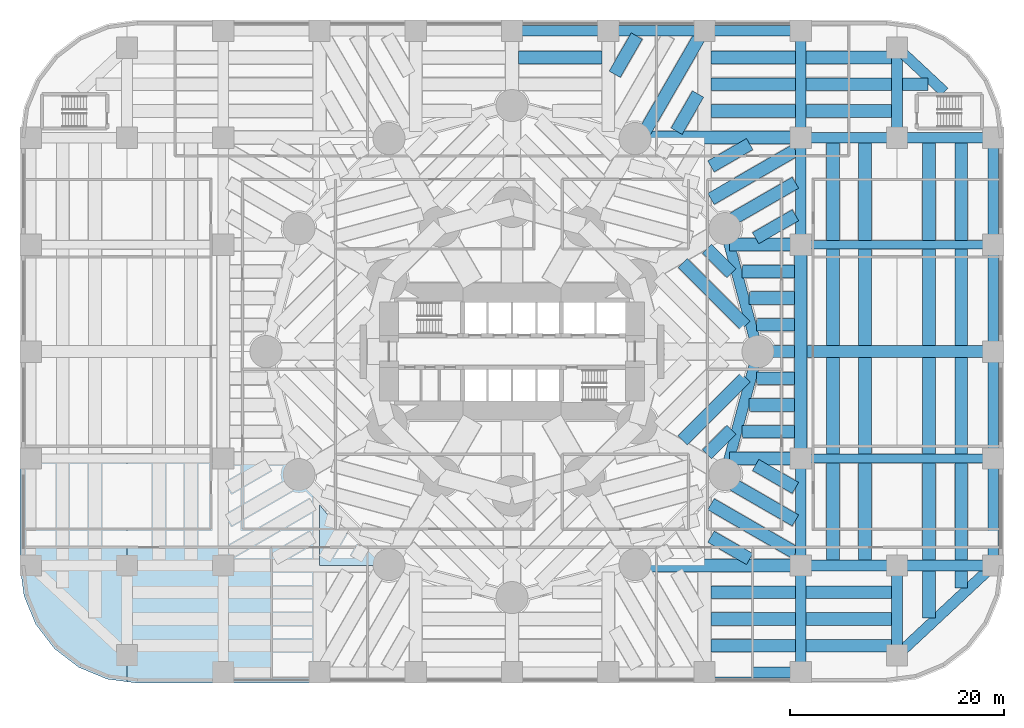
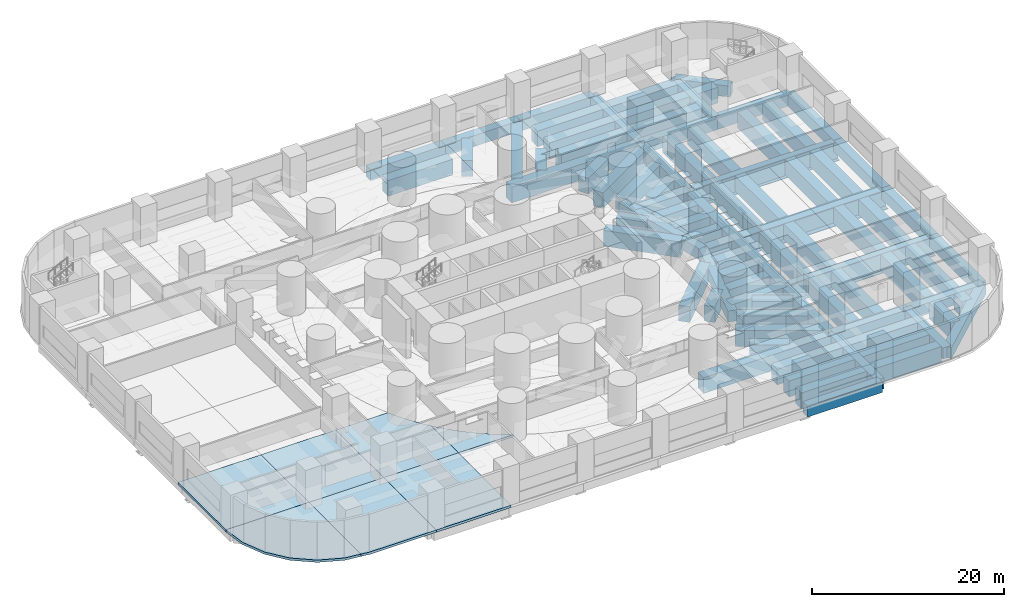
# One storey, part 4 of 17: 83 beams, 7 slabs.
"""IFC4 building model written with IfcOpenShell, lengths in metres."""

import ifcopenshell
import ifcopenshell.guid

model = None  # the IFC model being written
_history = None  # IfcOwnerHistory: only IFC2X3 demands one
_inside = {}  # id of a spatial element -> (the spatial element, [elements in it])
_under = {}  # id of a project, library or spatial element -> (it, [spatial elements below it])
_declared = {}  # id of a project -> (the project, [libraries it declares])
_typed = {}  # id of a type object -> (the type object, [elements of that type])
_made_of = {}  # id of a material, layer set ... -> (it, [elements and type objects made of it])


def new_model(schema):
    """Start an empty IFC model of exactly this schema.

    Asked for "IFC4X3", IfcOpenShell would pick the latest addendum, in which some entities
    have other attributes; the version numbers below select the first issue.
    IFC2X3 requires an IfcOwnerHistory on every rooted entity: one is made here for all.
    """
    global model, _history
    if schema == "IFC4X3":
        model = ifcopenshell.file(schema_version=(4, 3, 0, 0))
    else:
        model = ifcopenshell.file(schema=schema)
    _inside.clear()
    _under.clear()
    _declared.clear()
    _typed.clear()
    _made_of.clear()
    _history = None
    if model.schema == "IFC2X3":
        org = make("IfcOrganization", Name="unknown")
        user = make(
            "IfcPersonAndOrganization",
            ThePerson=make("IfcPerson", FamilyName="unknown"),
            TheOrganization=org,
        )
        app = make(
            "IfcApplication",
            ApplicationDeveloper=org,
            Version="unknown",
            ApplicationFullName="unknown",
            ApplicationIdentifier="unknown",
        )
        _history = make(
            "IfcOwnerHistory",
            OwningUser=user,
            OwningApplication=app,
            ChangeAction="ADDED",
            CreationDate=0,
        )
    return model


def make(cls, **values):
    """One entity of the class cls with the attributes given. An attribute that is None is left unset."""
    return model.create_entity(
        cls, **{name: value for name, value in values.items() if value is not None}
    )


def rooted(cls, **values):
    """An entity with a GlobalId (a new one), such as an element, a storey or a relation."""
    return make(cls, GlobalId=ifcopenshell.guid.new(), OwnerHistory=_history, **values)


def si_unit(unit_type, name, prefix=None):
    """IfcSIUnit, for example si_unit("LENGTHUNIT", "METRE", prefix="MILLI")."""
    return make("IfcSIUnit", UnitType=unit_type, Prefix=prefix, Name=name)


def assignment(units):
    """IfcUnitAssignment: the units of a project."""
    return None if units is None else make("IfcUnitAssignment", Units=units)


def point(xyz):
    """IfcCartesianPoint."""
    return None if xyz is None else make("IfcCartesianPoint", Coordinates=xyz)


def direction(xyz):
    """IfcDirection."""
    return None if xyz is None else make("IfcDirection", DirectionRatios=xyz)


def frame(location, z_axis=None, x_axis=None):
    """IfcAxis2Placement3D, a coordinate frame: its origin and axes. An axis left out is left unset."""
    return make(
        "IfcAxis2Placement3D",
        Location=point(location),
        Axis=direction(z_axis),
        RefDirection=direction(x_axis),
    )


def frame_2d(location, x_axis=None):
    """IfcAxis2Placement2D, a coordinate frame in the plane: its origin and x axis."""
    return make(
        "IfcAxis2Placement2D", Location=point(location), RefDirection=direction(x_axis)
    )


def origin():
    """The frame at (0, 0, 0) with its axes left unset."""
    return frame((0.0, 0.0, 0.0))


def origin_2d():
    """The frame at (0, 0) in the plane with its x axis left unset."""
    return frame_2d((0.0, 0.0))


def place(relative_to, where):
    """IfcLocalPlacement: puts the frame where relative to a parent placement (None: the world)."""
    return make(
        "IfcLocalPlacement", PlacementRelTo=relative_to, RelativePlacement=where
    )


def context(
    kind, dimensions, precision=None, world=None, true_north=None, identifier=None
):
    """IfcGeometricRepresentationContext, for example the 3D "Model" context."""
    return make(
        "IfcGeometricRepresentationContext",
        ContextIdentifier=identifier,
        ContextType=kind,
        CoordinateSpaceDimension=dimensions,
        Precision=precision,
        WorldCoordinateSystem=world,
        TrueNorth=true_north,
    )


def subcontext(parent, identifier, kind, view, scale=None):
    """IfcGeometricRepresentationSubContext, for example "Body" below "Model"."""
    return make(
        "IfcGeometricRepresentationSubContext",
        ContextIdentifier=identifier,
        ContextType=kind,
        ParentContext=parent,
        TargetScale=scale,
        TargetView=view,
    )


def project(units=None, contexts=None):
    """IfcProject with its units and contexts."""
    return rooted(
        "IfcProject",
        Name="project",
        RepresentationContexts=contexts,
        UnitsInContext=assignment(units),
    )


def spatial(cls, under=None, at=None, **own):
    """A site, building, storey or space (cls), placed at a placement, below another one or the project."""
    s = rooted(cls, ObjectPlacement=at, **own)
    if under is not None:
        _under.setdefault(under.id(), (under, []))[1].append(s)
    return s


def polyline(points):
    """IfcPolyline through the points."""
    return make("IfcPolyline", Points=[point(p) for p in points])


def profile(cls, at=None, kind="AREA", **sizes):
    """A parametric profile (cls). Its sizes go by their IFC names, for example OverallWidth=200.0."""
    return make(cls, ProfileType=kind, Position=at, **sizes)


def rectangle(**sizes):
    """IfcRectangleProfileDef."""
    return profile("IfcRectangleProfileDef", **sizes)


def i_section(**sizes):
    """IfcIShapeProfileDef."""
    return profile("IfcIShapeProfileDef", **sizes)


def outline(outer, holes=None, kind="AREA"):
    """IfcArbitraryClosedProfileDef: a profile drawn as a closed curve; with holes, ...WithVoids."""
    if holes is None:
        return make("IfcArbitraryClosedProfileDef", ProfileType=kind, OuterCurve=outer)
    return make(
        "IfcArbitraryProfileDefWithVoids",
        ProfileType=kind,
        OuterCurve=outer,
        InnerCurves=holes,
    )


def extrude(swept, where, along, depth):
    """IfcExtrudedAreaSolid: the profile swept, set in the frame where, extruded along a direction by depth."""
    return make(
        "IfcExtrudedAreaSolid",
        SweptArea=swept,
        Position=where,
        ExtrudedDirection=direction(along),
        Depth=depth,
    )


def shape(context_of_items, identifier, shape_type, items):
    """IfcShapeRepresentation: the items that make up one representation, for example the "Body"."""
    return make(
        "IfcShapeRepresentation",
        ContextOfItems=context_of_items,
        RepresentationIdentifier=identifier,
        RepresentationType=shape_type,
        Items=items,
    )


def material(Name=None, Category=None):
    """IfcMaterial."""
    return make("IfcMaterial", Name=Name, Category=Category)


def layer(
    of_material, thickness, ventilated=None, Name=None, Category=None, Priority=None
):
    """IfcMaterialLayer: one layer of a wall or slab, of a material (None: an air gap)."""
    return make(
        "IfcMaterialLayer",
        Material=of_material,
        LayerThickness=thickness,
        IsVentilated=ventilated,
        Name=Name,
        Category=Category,
        Priority=Priority,
    )


def layer_set(layers, Name=None):
    """IfcMaterialLayerSet."""
    return make("IfcMaterialLayerSet", MaterialLayers=layers, LayerSetName=Name)


def material_profile(
    of_material, cross_section, Name=None, Category=None, Priority=None
):
    """IfcMaterialProfile: a cross section and its material."""
    return make(
        "IfcMaterialProfile",
        Name=Name,
        Material=of_material,
        Profile=cross_section,
        Priority=Priority,
        Category=Category,
    )


def profile_set(profiles, Name=None, composite=None):
    """IfcMaterialProfileSet."""
    return make(
        "IfcMaterialProfileSet",
        Name=Name,
        MaterialProfiles=profiles,
        CompositeProfile=composite,
    )


def made_of(thing, what):
    """Note that an element or type object is made of a material, layer set ...; save() writes the relation."""
    if what is not None:
        _made_of.setdefault(what.id(), (what, []))[1].append(thing)
    return thing


def type_object(cls, material=None, **own):
    """A type object (cls), such as IfcWallType, which elements share."""
    return made_of(rooted(cls, **own), material)


def element(
    cls,
    number,
    at=None,
    inside=None,
    cuts=None,
    type_object=None,
    material=None,
    context=None,
    identifier="Body",
    shape_type=None,
    held_by="IfcProductDefinitionShape",
    body=None,
    shapes=None,
    **own,
):
    """One element of the class cls, such as IfcWall. Its Tag is "e" and its number.

    at: its placement. inside: the storey or other place that contains it. cuts: it is an
    opening in that element (IfcRelVoidsElement). A single representation is given by context,
    identifier, shape_type and body (its items); several are given by shapes. held_by: the class
    of the entity that holds the representations. save() writes the other relations.
    """
    e = rooted(cls, Tag="e%d" % number, ObjectPlacement=at, **own)
    if body is not None:
        shapes = [shape(context, identifier, shape_type, body)]
    if shapes is not None:
        e.Representation = make(held_by, Representations=shapes)
    if inside is not None:
        _inside.setdefault(inside.id(), (inside, []))[1].append(e)
    if cuts is not None:
        rooted(
            "IfcRelVoidsElement", RelatingBuildingElement=cuts, RelatedOpeningElement=e
        )
    if type_object is not None:
        _typed.setdefault(type_object.id(), (type_object, []))[1].append(e)
    return made_of(e, material)


def aggregate(whole, parts):
    """IfcRelAggregates: a whole, such as a stair, and the parts it consists of."""
    return rooted("IfcRelAggregates", RelatingObject=whole, RelatedObjects=parts)


def save(model, path):
    """Write the relations noted so far, then the file.

    IfcRelAggregates (storeys below a building ...), IfcRelContainedInSpatialStructure (elements
    in a storey), IfcRelDefinesByType, IfcRelAssociatesMaterial and IfcRelDeclares: one each for
    every whole, place, type object, material and project.
    """
    for whole, parts in _under.values():
        aggregate(whole, parts)
    for where, things in _inside.values():
        rooted(
            "IfcRelContainedInSpatialStructure",
            RelatedElements=things,
            RelatingStructure=where,
        )
    for kind, things in _typed.values():
        rooted("IfcRelDefinesByType", RelatedObjects=things, RelatingType=kind)
    for what, things in _made_of.values():
        rooted("IfcRelAssociatesMaterial", RelatedObjects=things, RelatingMaterial=what)
    for by, libraries in _declared.values():
        rooted("IfcRelDeclares", RelatingContext=by, RelatedDefinitions=libraries)
    model.write(path)


model = new_model("IFC4")

# Units and contexts
model_context = context("Model", 3, precision=1e-05, world=origin(), true_north=direction((0.0, 1.0)))
body_context = subcontext(model_context, "Body", "Model", "MODEL_VIEW")
ifc_project = project(units=[si_unit("LENGTHUNIT", "METRE"), si_unit("AREAUNIT", "SQUARE_METRE"), si_unit("VOLUMEUNIT", "CUBIC_METRE"), si_unit("PLANEANGLEUNIT", "RADIAN"), si_unit("MASSUNIT", "GRAM", prefix="KILO")], contexts=[model_context])

# Site, building, storey
site_placement = place(None, origin())
site = spatial("IfcSite", under=ifc_project, at=site_placement, CompositionType="ELEMENT")
building_placement = place(site_placement, origin())
building = spatial("IfcBuilding", under=site, at=building_placement, Name="Qaws Media Tower", CompositionType="ELEMENT")
storey_placement = place(building_placement, frame((0.0, 0.0, 15.0)))
storey = spatial("IfcBuildingStorey", under=building, at=storey_placement, Name="L02", CompositionType="ELEMENT", Elevation=15.0)

# Beams
ifc_material_1 = material(Name="Concrete C60/75", Category="concrete")
ifc_material_profile_1 = material_profile(ifc_material_1, rectangle(XDim=1.0, YDim=1.39990234375, at=origin_2d()), Name="RC 1000x1400")
ifc_profile_set_1 = profile_set([ifc_material_profile_1], Name="Concrete C60/75")
beam_type_1 = type_object("IfcBeamType", Name="Podium edge beam RC 1000x1400", PredefinedType="BEAM", material=ifc_profile_set_1)
for number, where, z_axis, x_axis, name in (
    (1, (83.0, 50.0, -1.0), (-0.258809885148, 0.965928280645, 0.0), (-0.965928280645, -0.258809885148, 0.0), "PB3 beam M01-M02"),
    (2, (79.918701171875, 38.5, -1.0), (0.258809885148, 0.965928280645, 0.0), (-0.965928280645, 0.258809885148, 0.0), "PB3 beam M12-M01"),
):
    element("IfcBeam", number, at=place(storey_placement, frame(where, z_axis=z_axis, x_axis=x_axis)), inside=storey, type_object=beam_type_1, Name=name, PredefinedType="BEAM", context=body_context, shape_type="SweptSolid", body=[
        extrude(rectangle(XDim=1.0, YDim=1.39990234375, at=origin_2d()), origin(), (0.0, 0.0, 1.0), 11.90576171875),
    ])
ifc_material_2 = material(Name="Concrete C60/75", Category="concrete")
ifc_material_profile_2 = material_profile(ifc_material_2, rectangle(XDim=1.0, YDim=1.39990234375, at=origin_2d()), Name="RC 1000x1400")
ifc_profile_set_2 = profile_set([ifc_material_profile_2], Name="Concrete C60/75")
beam_type_2 = type_object("IfcBeamType", Name="Podium girder RC 1000x1400", PredefinedType="BEAM", material=ifc_profile_set_2)
for number, where, z_axis, x_axis, name in (
    (3, (78.0, 20.0, -1.0), (1.0, 0.0, 0.0), (0.0, 1.0, 0.0), "PB5 beam 8-9/A"),
    (4, (87.0, 30.0, -1.0), (1.0, 0.0, 0.0), (0.0, 1.0, 0.0), "PB5 beam 9-10/B"),
    (5, (96.0, 30.0, -1.0), (1.0, 0.0, 0.0), (0.0, 1.0, 0.0), "PB5 beam 10-11/B"),
    (6, (87.0, 70.0, -1.0), (1.0, 0.0, 0.0), (0.0, 1.0, 0.0), "PB5 beam 9-10/F"),
    (7, (96.0, 70.0, -1.0), (1.0, 0.0, 0.0), (0.0, 1.0, 0.0), "PB5 beam 10-11/F"),
    (8, (60.0, 80.0, -1.0), (1.0, 0.0, 0.0), (0.0, 1.0, 0.0), "PB5 beam 6-7/G"),
    (9, (69.0, 80.0, -1.0), (1.0, 0.0, 0.0), (0.0, 1.0, 0.0), "PB5 beam 7-8/G"),
    (10, (78.0, 80.0, -1.0), (1.0, 0.0, 0.0), (0.0, 1.0, 0.0), "PB5 beam 8-9/G"),
):
    element("IfcBeam", number, at=place(storey_placement, frame(where, z_axis=z_axis, x_axis=x_axis)), inside=storey, type_object=beam_type_2, Name=name, PredefinedType="BEAM", context=body_context, shape_type="SweptSolid", body=[
        extrude(rectangle(XDim=1.0, YDim=1.39990234375, at=origin_2d()), origin(), (0.0, 0.0, 1.0), 9.0),
    ])
for number, where, z_axis, x_axis, name in (
    (11, (87.0, 20.0, -1.0), (0.0, 1.0, 0.0), (-1.0, 0.0, 0.0), "PB5 beam 9/A-B"),
    (12, (87.0, 30.0, -1.0), (0.0, 1.0, 0.0), (-1.0, 0.0, 0.0), "PB5 beam 9/B-C"),
    (13, (87.0, 60.0, -1.0), (0.0, 1.0, 0.0), (-1.0, 0.0, 0.0), "PB5 beam 9/E-F"),
    (14, (87.0, 70.0, -1.0), (0.0, 1.0, 0.0), (-1.0, 0.0, 0.0), "PB5 beam 9/F-G"),
):
    element("IfcBeam", number, at=place(storey_placement, frame(where, z_axis=z_axis, x_axis=x_axis)), inside=storey, type_object=beam_type_2, Name=name, PredefinedType="BEAM", context=body_context, shape_type="SweptSolid", body=[
        extrude(rectangle(XDim=1.0, YDim=1.39990234375, at=origin_2d()), origin(), (0.0, 0.0, 1.0), 10.0),
    ])
for number, where, z_axis, x_axis, name in (
    (15, (96.0, 21.60009765625, -1.0), (0.0, 1.0, 0.0), (-1.0, 0.0, 0.0), "PB5 beam 10/A-B"),
    (16, (96.0, 70.0, -1.0), (0.0, 1.0, 0.0), (-1.0, 0.0, 0.0), "PB5 beam 10/F-G"),
):
    element("IfcBeam", number, at=place(storey_placement, frame(where, z_axis=z_axis, x_axis=x_axis)), inside=storey, type_object=beam_type_2, Name=name, PredefinedType="BEAM", context=body_context, shape_type="SweptSolid", body=[
        extrude(rectangle(XDim=1.0, YDim=1.39990234375, at=origin_2d()), origin(), (0.0, 0.0, 1.0), 8.39990234375),
    ])
for number, where, z_axis, x_axis, name in (
    (17, (105.0, 30.0, -1.0), (0.0, 1.0, 0.0), (-1.0, 0.0, 0.0), "PB5 beam 11/B-C"),
    (18, (105.0, 40.0, -1.0), (0.0, 1.0, 0.0), (-1.0, 0.0, 0.0), "PB5 beam 11/C-D"),
    (19, (105.0, 50.0, -1.0), (0.0, 1.0, 0.0), (-1.0, 0.0, 0.0), "PB5 beam 11/D-E"),
    (20, (105.0, 60.0, -1.0), (0.0, 1.0, 0.0), (-1.0, 0.0, 0.0), "PB5 beam 11/E-F"),
):
    element("IfcBeam", number, at=place(storey_placement, frame(where, z_axis=z_axis, x_axis=x_axis)), inside=storey, type_object=beam_type_2, Name=name, PredefinedType="BEAM", context=body_context, shape_type="SweptSolid", body=[
        extrude(rectangle(XDim=1.0, YDim=1.39990234375, at=origin_2d()), origin(), (0.0, 0.0, 1.0), 10.0),
    ])
beam_1_placement = place(storey_placement, frame((105.0, 30.0, -1.0), z_axis=(-0.73105922506, -0.682314010889, 0.0), x_axis=(0.682314010889, -0.73105922506, 0.0)))
element("IfcBeam", 21, at=beam_1_placement, inside=storey, type_object=beam_type_2, Name="PB5 beam 11/B-10/A", PredefinedType="BEAM", context=body_context, shape_type="SweptSolid", body=[
    extrude(rectangle(XDim=1.0, YDim=1.39990234375, at=origin_2d()), origin(), (0.0, 0.0, 1.0), 12.310791015625),
])
beam_2_placement = place(storey_placement, frame((100.4267578125, 74.268310546875, -1.0), z_axis=(-0.731059290527, 0.682313940745, 0.0), x_axis=(-0.682313940745, -0.731059290527, 0.0)))
element("IfcBeam", 22, at=beam_2_placement, inside=storey, type_object=beam_type_2, Name="PB5 beam S4-10/G", PredefinedType="BEAM", context=body_context, shape_type="SweptSolid", body=[
    extrude(rectangle(XDim=1.0, YDim=1.39990234375, at=origin_2d()), origin(), (0.0, 0.0, 1.0), 6.05517578125),
])
ifc_material_3 = material(Name="Concrete C60/75", Category="concrete")
ifc_material_profile_3 = material_profile(ifc_material_3, rectangle(XDim=1.199951171875, YDim=2.0, at=origin_2d()), Name="RC 1200x2000")
ifc_profile_set_3 = profile_set([ifc_material_profile_3], Name="Concrete C60/75")
beam_type_3 = type_object("IfcBeamType", Name="Podium long trimmer beam RC 1200x2000", PredefinedType="BEAM", material=ifc_profile_set_3)
for number, where, z_axis, x_axis, name in (
    (23, (87.0, 30.0, -1.300048828125), (-1.0, 0.0, 0.0), (0.0, -1.0, 0.0), "PB11 beam 9/B to the tower ring"),
    (24, (87.0, 70.0, -1.300048828125), (-1.0, 0.0, 0.0), (0.0, -1.0, 0.0), "PB11 beam 9/F to the tower ring"),
):
    element("IfcBeam", number, at=place(storey_placement, frame(where, z_axis=z_axis, x_axis=x_axis)), inside=storey, type_object=beam_type_3, Name=name, PredefinedType="BEAM", context=body_context, shape_type="SweptSolid", body=[
        extrude(rectangle(XDim=1.199951171875, YDim=2.0, at=origin_2d()), origin(), (0.0, 0.0, 1.0), 15.803955078125),
    ])
beam_3_placement = place(storey_placement, frame((87.0, 40.0, -1.300048828125), z_axis=(0.0, 1.0, 0.0), x_axis=(-1.0, 0.0, 0.0)))
element("IfcBeam", 25, at=beam_3_placement, inside=storey, type_object=beam_type_3, Name="PB11 beam 9/C-9/E", PredefinedType="BEAM", context=body_context, shape_type="SweptSolid", body=[
    extrude(rectangle(XDim=1.199951171875, YDim=2.0, at=origin_2d()), origin(), (0.0, 0.0, 1.0), 20.0),
])
ifc_material_4 = material(Name="Concrete C60/75", Category="concrete")
ifc_material_profile_4 = material_profile(ifc_material_4, rectangle(XDim=1.199951171875, YDim=2.0, at=origin_2d()), Name="RC 1200x2000")
ifc_profile_set_4 = profile_set([ifc_material_profile_4], Name="Concrete C60/75")
beam_type_4 = type_object("IfcBeamType", Name="Podium secondary beam RC 1200x2000", PredefinedType="BEAM", material=ifc_profile_set_4)
beam_4_placement = place(storey_placement, frame((60.60009765625, 77.5, -1.300048828125), z_axis=(1.0, 0.0, 0.0), x_axis=(0.0, 1.0, 0.0)))
element("IfcBeam", 26, at=beam_4_placement, inside=storey, type_object=beam_type_4, Name="PB7 beam bay 6F line 3", PredefinedType="BEAM", context=body_context, shape_type="SweptSolid", body=[
    extrude(rectangle(XDim=1.199951171875, YDim=2.0, at=origin_2d()), origin(), (0.0, 0.0, 1.0), 7.7998046875),
])
beam_5_placement = place(storey_placement, frame((75.3916015625, 70.60009765625, -1.300048828125), z_axis=(0.500022371132, 0.86601248742, 0.0), x_axis=(-0.86601248742, 0.500022371132, 0.0)))
element("IfcBeam", 27, at=beam_5_placement, inside=storey, type_object=beam_type_4, Name="PB7 beam bay 7F line 1", PredefinedType="BEAM", context=body_context, shape_type="SweptSolid", body=[
    extrude(rectangle(XDim=1.199951171875, YDim=2.0, at=origin_2d()), origin(), (0.0, 0.0, 1.0), 4.016357421875),
])
beam_6_placement = place(storey_placement, frame((72.43701171875, 70.60009765625, -1.300048828125), z_axis=(0.500004869266, 0.866022592494, 0.0), x_axis=(-0.866022592494, 0.500004869266, 0.0)))
element("IfcBeam", 28, at=beam_6_placement, inside=storey, type_object=beam_type_4, Name="PB7 beam bay 7F line 2", PredefinedType="BEAM", context=body_context, shape_type="SweptSolid", body=[
    extrude(rectangle(XDim=1.199951171875, YDim=2.0, at=origin_2d()), origin(), (0.0, 0.0, 1.0), 10.27685546875),
])
beam_7_placement = place(storey_placement, frame((69.60009765625, 75.921630859375, -1.300048828125), z_axis=(0.499990122378, 0.866031106557, 0.0), x_axis=(-0.866031106557, 0.499990122378, 0.0)))
element("IfcBeam", 29, at=beam_7_placement, inside=storey, type_object=beam_type_4, Name="PB7 beam bay 7F line 4", PredefinedType="BEAM", context=body_context, shape_type="SweptSolid", body=[
    extrude(rectangle(XDim=1.199951171875, YDim=2.0, at=origin_2d()), origin(), (0.0, 0.0, 1.0), 4.1318359375),
])
for number, where, z_axis, x_axis, name in (
    (30, (78.60009765625, 22.5, -1.300048828125), (1.0, 0.0, 0.0), (0.0, 1.0, 0.0), "PB7 beam bay 8A line 1"),
    (31, (78.60009765625, 25.0, -1.300048828125), (1.0, 0.0, 0.0), (0.0, 1.0, 0.0), "PB7 beam bay 8A line 2"),
    (32, (78.60009765625, 27.5, -1.300048828125), (1.0, 0.0, 0.0), (0.0, 1.0, 0.0), "PB7 beam bay 8A line 3"),
):
    element("IfcBeam", number, at=place(storey_placement, frame(where, z_axis=z_axis, x_axis=x_axis)), inside=storey, type_object=beam_type_4, Name=name, PredefinedType="BEAM", context=body_context, shape_type="SweptSolid", body=[
        extrude(rectangle(XDim=1.199951171875, YDim=2.0, at=origin_2d()), origin(), (0.0, 0.0, 1.0), 7.89990234375),
    ])
beam_8_placement = place(storey_placement, frame((86.5, 37.24951171875, -1.300048828125), z_axis=(-0.866040963478, 0.499973048851, 0.0), x_axis=(-0.499973048851, -0.866040963478, 0.0)))
element("IfcBeam", 33, at=beam_8_placement, inside=storey, type_object=beam_type_4, Name="PB7 beam bay 8B line 1", PredefinedType="BEAM", context=body_context, shape_type="SweptSolid", body=[
    extrude(rectangle(XDim=1.199951171875, YDim=2.0, at=origin_2d()), origin(), (0.0, 0.0, 1.0), 4.301025390625),
])
beam_9_placement = place(storey_placement, frame((86.5, 34.210205078125, -1.300048828125), z_axis=(-0.866033686948, 0.499985652865, 0.0), x_axis=(-0.499985652865, -0.866033686948, 0.0)))
element("IfcBeam", 34, at=beam_9_placement, inside=storey, type_object=beam_type_4, Name="PB7 beam bay 8B line 2", PredefinedType="BEAM", context=body_context, shape_type="SweptSolid", body=[
    extrude(rectangle(XDim=1.199951171875, YDim=2.0, at=origin_2d()), origin(), (0.0, 0.0, 1.0), 7.440673828125),
])
beam_10_placement = place(storey_placement, frame((86.5, 31.1708984375, -1.300048828125), z_axis=(-0.866024244995, 0.500002007077, 0.0), x_axis=(-0.500002007077, -0.866024244995, 0.0)))
element("IfcBeam", 35, at=beam_10_placement, inside=storey, type_object=beam_type_4, Name="PB7 beam bay 8B line 3", PredefinedType="BEAM", context=body_context, shape_type="SweptSolid", body=[
    extrude(rectangle(XDim=1.199951171875, YDim=2.0, at=origin_2d()), origin(), (0.0, 0.0, 1.0), 9.1220703125),
])
beam_11_placement = place(storey_placement, frame((82.224853515625, 30.60009765625, -1.300048828125), z_axis=(-0.866023369196, 0.500003523994, 0.0), x_axis=(-0.500003523994, -0.866023369196, 0.0)))
element("IfcBeam", 36, at=beam_11_placement, inside=storey, type_object=beam_type_4, Name="PB7 beam bay 8B line 4", PredefinedType="BEAM", context=body_context, shape_type="SweptSolid", body=[
    extrude(rectangle(XDim=1.199951171875, YDim=2.0, at=origin_2d()), origin(), (0.0, 0.0, 1.0), 4.185546875),
])
beam_12_placement = place(storey_placement, frame((81.508056640625, 42.5, -1.300048828125), z_axis=(1.0, 0.0, 0.0), x_axis=(0.0, 1.0, 0.0)))
element("IfcBeam", 37, at=beam_12_placement, inside=storey, type_object=beam_type_4, Name="PB7 beam bay 8C line 1", PredefinedType="BEAM", context=body_context, shape_type="SweptSolid", body=[
    extrude(rectangle(XDim=1.199951171875, YDim=2.0, at=origin_2d()), origin(), (0.0, 0.0, 1.0), 4.891845703125),
])
beam_13_placement = place(storey_placement, frame((82.177978515625, 45.0, -1.300048828125), z_axis=(1.0, 0.0, 0.0), x_axis=(0.0, 1.0, 0.0)))
element("IfcBeam", 38, at=beam_13_placement, inside=storey, type_object=beam_type_4, Name="PB7 beam bay 8C line 2", PredefinedType="BEAM", context=body_context, shape_type="SweptSolid", body=[
    extrude(rectangle(XDim=1.199951171875, YDim=2.0, at=origin_2d()), origin(), (0.0, 0.0, 1.0), 4.221923828125),
])
for number, where, z_axis, x_axis, name in (
    (39, (82.84765625, 47.5, -1.300048828125), (1.0, 0.0, 0.0), (0.0, 1.0, 0.0), "PB7 beam bay 8C line 3"),
    (40, (82.84765625, 52.5, -1.300048828125), (1.0, 0.0, 0.0), (0.0, 1.0, 0.0), "PB7 beam bay 8D line 1"),
):
    element("IfcBeam", number, at=place(storey_placement, frame(where, z_axis=z_axis, x_axis=x_axis)), inside=storey, type_object=beam_type_4, Name=name, PredefinedType="BEAM", context=body_context, shape_type="SweptSolid", body=[
        extrude(rectangle(XDim=1.199951171875, YDim=2.0, at=origin_2d()), origin(), (0.0, 0.0, 1.0), 3.55224609375),
    ])
beam_14_placement = place(storey_placement, frame((82.177978515625, 55.0, -1.300048828125), z_axis=(1.0, 0.0, 0.0), x_axis=(0.0, 1.0, 0.0)))
element("IfcBeam", 41, at=beam_14_placement, inside=storey, type_object=beam_type_4, Name="PB7 beam bay 8D line 2", PredefinedType="BEAM", context=body_context, shape_type="SweptSolid", body=[
    extrude(rectangle(XDim=1.199951171875, YDim=2.0, at=origin_2d()), origin(), (0.0, 0.0, 1.0), 4.221923828125),
])
beam_15_placement = place(storey_placement, frame((81.508056640625, 57.5, -1.300048828125), z_axis=(1.0, 0.0, 0.0), x_axis=(0.0, 1.0, 0.0)))
element("IfcBeam", 42, at=beam_15_placement, inside=storey, type_object=beam_type_4, Name="PB7 beam bay 8D line 3", PredefinedType="BEAM", context=body_context, shape_type="SweptSolid", body=[
    extrude(rectangle(XDim=1.199951171875, YDim=2.0, at=origin_2d()), origin(), (0.0, 0.0, 1.0), 4.891845703125),
])
beam_16_placement = place(storey_placement, frame((82.775146484375, 60.60009765625, -1.300048828125), z_axis=(0.866040963478, 0.499973048851, 0.0), x_axis=(-0.499973048851, 0.866040963478, 0.0)))
element("IfcBeam", 43, at=beam_16_placement, inside=storey, type_object=beam_type_4, Name="PB7 beam bay 8E line 1", PredefinedType="BEAM", context=body_context, shape_type="SweptSolid", body=[
    extrude(rectangle(XDim=1.199951171875, YDim=2.0, at=origin_2d()), origin(), (0.0, 0.0, 1.0), 4.301025390625),
])
beam_17_placement = place(storey_placement, frame((80.05615234375, 62.069580078125, -1.300048828125), z_axis=(0.866033686948, 0.499985652865, 0.0), x_axis=(-0.499985652865, 0.866033686948, 0.0)))
element("IfcBeam", 44, at=beam_17_placement, inside=storey, type_object=beam_type_4, Name="PB7 beam bay 8E line 2", PredefinedType="BEAM", context=body_context, shape_type="SweptSolid", body=[
    extrude(rectangle(XDim=1.199951171875, YDim=2.0, at=origin_2d()), origin(), (0.0, 0.0, 1.0), 7.440673828125),
])
beam_18_placement = place(storey_placement, frame((78.60009765625, 64.26806640625, -1.300048828125), z_axis=(0.866024244995, 0.500002007077, 0.0), x_axis=(-0.500002007077, 0.866024244995, 0.0)))
element("IfcBeam", 45, at=beam_18_placement, inside=storey, type_object=beam_type_4, Name="PB7 beam bay 8E line 3", PredefinedType="BEAM", context=body_context, shape_type="SweptSolid", body=[
    extrude(rectangle(XDim=1.199951171875, YDim=2.0, at=origin_2d()), origin(), (0.0, 0.0, 1.0), 9.1220703125),
])
beam_19_placement = place(storey_placement, frame((78.60009765625, 67.30712890625, -1.300048828125), z_axis=(0.866023369196, 0.500003523994, 0.0), x_axis=(-0.500003523994, 0.866023369196, 0.0)))
element("IfcBeam", 46, at=beam_19_placement, inside=storey, type_object=beam_type_4, Name="PB7 beam bay 8E line 4", PredefinedType="BEAM", context=body_context, shape_type="SweptSolid", body=[
    extrude(rectangle(XDim=1.199951171875, YDim=2.0, at=origin_2d()), origin(), (0.0, 0.0, 1.0), 4.185546875),
])
for number, where, z_axis, x_axis, name in (
    (47, (78.60009765625, 72.5, -1.300048828125), (1.0, 0.0, 0.0), (0.0, 1.0, 0.0), "PB7 beam bay 8F line 1"),
    (48, (78.60009765625, 75.0, -1.300048828125), (1.0, 0.0, 0.0), (0.0, 1.0, 0.0), "PB7 beam bay 8F line 2"),
    (49, (78.60009765625, 77.5, -1.300048828125), (1.0, 0.0, 0.0), (0.0, 1.0, 0.0), "PB7 beam bay 8F line 3"),
):
    element("IfcBeam", number, at=place(storey_placement, frame(where, z_axis=z_axis, x_axis=x_axis)), inside=storey, type_object=beam_type_4, Name=name, PredefinedType="BEAM", context=body_context, shape_type="SweptSolid", body=[
        extrude(rectangle(XDim=1.199951171875, YDim=2.0, at=origin_2d()), origin(), (0.0, 0.0, 1.0), 7.89990234375),
    ])
for number, where, z_axis, x_axis, name in (
    (50, (87.5, 22.5, -1.300048828125), (1.0, 0.0, 0.0), (0.0, 1.0, 0.0), "PB7 beam bay 9A line 1"),
    (51, (87.5, 25.0, -1.300048828125), (1.0, 0.0, 0.0), (0.0, 1.0, 0.0), "PB7 beam bay 9A line 2"),
    (52, (87.5, 27.5, -1.300048828125), (1.0, 0.0, 0.0), (0.0, 1.0, 0.0), "PB7 beam bay 9A line 3"),
):
    element("IfcBeam", number, at=place(storey_placement, frame(where, z_axis=z_axis, x_axis=x_axis)), inside=storey, type_object=beam_type_4, Name=name, PredefinedType="BEAM", context=body_context, shape_type="SweptSolid", body=[
        extrude(rectangle(XDim=1.199951171875, YDim=2.0, at=origin_2d()), origin(), (0.0, 0.0, 1.0), 8.0),
    ])
for number, where, z_axis, x_axis, name in (
    (53, (93.0, 30.5, -1.300048828125), (0.0, 1.0, 0.0), (-1.0, 0.0, 0.0), "PB7 beam bay 9B line 1"),
    (54, (90.0, 30.5, -1.300048828125), (0.0, 1.0, 0.0), (-1.0, 0.0, 0.0), "PB7 beam bay 9B line 2"),
):
    element("IfcBeam", number, at=place(storey_placement, frame(where, z_axis=z_axis, x_axis=x_axis)), inside=storey, type_object=beam_type_4, Name=name, PredefinedType="BEAM", context=body_context, shape_type="SweptSolid", body=[
        extrude(rectangle(XDim=1.199951171875, YDim=2.0, at=origin_2d()), origin(), (0.0, 0.0, 1.0), 9.10009765625),
    ])
for number, where, z_axis, x_axis, name in (
    (55, (93.0, 40.39990234375, -1.300048828125), (0.0, 1.0, 0.0), (-1.0, 0.0, 0.0), "PB7 beam bay 9C line 1"),
    (56, (90.0, 40.39990234375, -1.300048828125), (0.0, 1.0, 0.0), (-1.0, 0.0, 0.0), "PB7 beam bay 9C line 2"),
    (57, (93.0, 50.550048828125, -1.300048828125), (0.0, 1.0, 0.0), (-1.0, 0.0, 0.0), "PB7 beam bay 9D line 1"),
    (58, (90.0, 50.550048828125, -1.300048828125), (0.0, 1.0, 0.0), (-1.0, 0.0, 0.0), "PB7 beam bay 9D line 2"),
):
    element("IfcBeam", number, at=place(storey_placement, frame(where, z_axis=z_axis, x_axis=x_axis)), inside=storey, type_object=beam_type_4, Name=name, PredefinedType="BEAM", context=body_context, shape_type="SweptSolid", body=[
        extrude(rectangle(XDim=1.199951171875, YDim=2.0, at=origin_2d()), origin(), (0.0, 0.0, 1.0), 9.050048828125),
    ])
for number, where, z_axis, x_axis, name in (
    (59, (93.0, 60.39990234375, -1.300048828125), (0.0, 1.0, 0.0), (-1.0, 0.0, 0.0), "PB7 beam bay 9E line 1"),
    (60, (90.0, 60.39990234375, -1.300048828125), (0.0, 1.0, 0.0), (-1.0, 0.0, 0.0), "PB7 beam bay 9E line 2"),
):
    element("IfcBeam", number, at=place(storey_placement, frame(where, z_axis=z_axis, x_axis=x_axis)), inside=storey, type_object=beam_type_4, Name=name, PredefinedType="BEAM", context=body_context, shape_type="SweptSolid", body=[
        extrude(rectangle(XDim=1.199951171875, YDim=2.0, at=origin_2d()), origin(), (0.0, 0.0, 1.0), 9.10009765625),
    ])
for number, where, z_axis, x_axis, name in (
    (61, (87.5, 72.5, -1.300048828125), (1.0, 0.0, 0.0), (0.0, 1.0, 0.0), "PB7 beam bay 9F line 1"),
    (62, (87.5, 75.0, -1.300048828125), (1.0, 0.0, 0.0), (0.0, 1.0, 0.0), "PB7 beam bay 9F line 2"),
    (63, (87.5, 77.5, -1.300048828125), (1.0, 0.0, 0.0), (0.0, 1.0, 0.0), "PB7 beam bay 9F line 3"),
):
    element("IfcBeam", number, at=place(storey_placement, frame(where, z_axis=z_axis, x_axis=x_axis)), inside=storey, type_object=beam_type_4, Name=name, PredefinedType="BEAM", context=body_context, shape_type="SweptSolid", body=[
        extrude(rectangle(XDim=1.199951171875, YDim=2.0, at=origin_2d()), origin(), (0.0, 0.0, 1.0), 8.0),
    ])
beam_20_placement = place(storey_placement, frame((102.0, 27.884033203125, -1.300048828125), z_axis=(0.0, 1.0, 0.0), x_axis=(-1.0, 0.0, 0.0)))
element("IfcBeam", 64, at=beam_20_placement, inside=storey, type_object=beam_type_4, Name="PB7 beam bay 10A line 1", PredefinedType="BEAM", context=body_context, shape_type="SweptSolid", body=[
    extrude(rectangle(XDim=1.199951171875, YDim=2.0, at=origin_2d()), origin(), (0.0, 0.0, 1.0), 1.615966796875),
])
beam_21_placement = place(storey_placement, frame((99.0, 25.083984375, -1.300048828125), z_axis=(0.0, 1.0, 0.0), x_axis=(-1.0, 0.0, 0.0)))
element("IfcBeam", 65, at=beam_21_placement, inside=storey, type_object=beam_type_4, Name="PB7 beam bay 10A line 2", PredefinedType="BEAM", context=body_context, shape_type="SweptSolid", body=[
    extrude(rectangle(XDim=1.199951171875, YDim=2.0, at=origin_2d()), origin(), (0.0, 0.0, 1.0), 4.416015625),
])
for number, where, z_axis, x_axis, name in (
    (66, (102.0, 30.5, -1.300048828125), (0.0, 1.0, 0.0), (-1.0, 0.0, 0.0), "PB7 beam bay 10B line 1"),
    (67, (99.0, 30.5, -1.300048828125), (0.0, 1.0, 0.0), (-1.0, 0.0, 0.0), "PB7 beam bay 10B line 2"),
):
    element("IfcBeam", number, at=place(storey_placement, frame(where, z_axis=z_axis, x_axis=x_axis)), inside=storey, type_object=beam_type_4, Name=name, PredefinedType="BEAM", context=body_context, shape_type="SweptSolid", body=[
        extrude(rectangle(XDim=1.199951171875, YDim=2.0, at=origin_2d()), origin(), (0.0, 0.0, 1.0), 9.10009765625),
    ])
for number, where, z_axis, x_axis, name in (
    (68, (102.0, 40.39990234375, -1.300048828125), (0.0, 1.0, 0.0), (-1.0, 0.0, 0.0), "PB7 beam bay 10C line 1"),
    (69, (99.0, 40.39990234375, -1.300048828125), (0.0, 1.0, 0.0), (-1.0, 0.0, 0.0), "PB7 beam bay 10C line 2"),
    (70, (102.0, 50.550048828125, -1.300048828125), (0.0, 1.0, 0.0), (-1.0, 0.0, 0.0), "PB7 beam bay 10D line 1"),
    (71, (99.0, 50.550048828125, -1.300048828125), (0.0, 1.0, 0.0), (-1.0, 0.0, 0.0), "PB7 beam bay 10D line 2"),
):
    element("IfcBeam", number, at=place(storey_placement, frame(where, z_axis=z_axis, x_axis=x_axis)), inside=storey, type_object=beam_type_4, Name=name, PredefinedType="BEAM", context=body_context, shape_type="SweptSolid", body=[
        extrude(rectangle(XDim=1.199951171875, YDim=2.0, at=origin_2d()), origin(), (0.0, 0.0, 1.0), 9.050048828125),
    ])
for number, where, z_axis, x_axis, name in (
    (72, (102.0, 60.39990234375, -1.300048828125), (0.0, 1.0, 0.0), (-1.0, 0.0, 0.0), "PB7 beam bay 10E line 1"),
    (73, (99.0, 60.39990234375, -1.300048828125), (0.0, 1.0, 0.0), (-1.0, 0.0, 0.0), "PB7 beam bay 10E line 2"),
):
    element("IfcBeam", number, at=place(storey_placement, frame(where, z_axis=z_axis, x_axis=x_axis)), inside=storey, type_object=beam_type_4, Name=name, PredefinedType="BEAM", context=body_context, shape_type="SweptSolid", body=[
        extrude(rectangle(XDim=1.199951171875, YDim=2.0, at=origin_2d()), origin(), (0.0, 0.0, 1.0), 9.10009765625),
    ])
beam_22_placement = place(storey_placement, frame((96.5, 75.0, -1.300048828125), z_axis=(1.0, 0.0, 0.0), x_axis=(0.0, 1.0, 0.0)))
element("IfcBeam", 74, at=beam_22_placement, inside=storey, type_object=beam_type_4, Name="PB7 beam bay 10F line 1", PredefinedType="BEAM", context=body_context, shape_type="SweptSolid", body=[
    extrude(rectangle(XDim=1.199951171875, YDim=2.0, at=origin_2d()), origin(), (0.0, 0.0, 1.0), 2.41015625),
])
beam_23_placement = place(storey_placement, frame((80.523193359375, 57.311767578125, -1.300048828125), z_axis=(-0.707144458383, 0.707069101983, 0.0), x_axis=(-0.707069101983, -0.707144458383, 0.0)))
element("IfcBeam", 75, at=beam_23_placement, inside=storey, type_object=beam_type_4, Name="PB7 beam bay T01 line 1", PredefinedType="BEAM", context=body_context, shape_type="SweptSolid", body=[
    extrude(rectangle(XDim=1.199951171875, YDim=2.0, at=origin_2d()), origin(), (0.0, 0.0, 1.0), 3.23974609375),
])
beam_24_placement = place(storey_placement, frame((81.8349609375, 52.416259765625, -1.300048828125), z_axis=(-0.707106781187, 0.707106781187, 0.0), x_axis=(-0.707106781187, -0.707106781187, 0.0)))
element("IfcBeam", 76, at=beam_24_placement, inside=storey, type_object=beam_type_4, Name="PB7 beam bay T01 line 2", PredefinedType="BEAM", context=body_context, shape_type="SweptSolid", body=[
    extrude(rectangle(XDim=1.199951171875, YDim=2.0, at=origin_2d()), origin(), (0.0, 0.0, 1.0), 8.30810546875),
])
beam_25_placement = place(storey_placement, frame((78.232177734375, 40.3974609375, -1.300048828125), z_axis=(0.707144458383, 0.707069101983, 0.0), x_axis=(-0.707069101983, 0.707144458383, 0.0)))
element("IfcBeam", 77, at=beam_25_placement, inside=storey, type_object=beam_type_4, Name="PB7 beam bay T12 line 1", PredefinedType="BEAM", context=body_context, shape_type="SweptSolid", body=[
    extrude(rectangle(XDim=1.199951171875, YDim=2.0, at=origin_2d()), origin(), (0.0, 0.0, 1.0), 3.23974609375),
])
beam_26_placement = place(storey_placement, frame((75.960205078125, 41.708984375, -1.300048828125), z_axis=(0.707106781187, 0.707106781187, 0.0), x_axis=(-0.707106781187, 0.707106781187, 0.0)))
element("IfcBeam", 78, at=beam_26_placement, inside=storey, type_object=beam_type_4, Name="PB7 beam bay T12 line 2", PredefinedType="BEAM", context=body_context, shape_type="SweptSolid", body=[
    extrude(rectangle(XDim=1.199951171875, YDim=2.0, at=origin_2d()), origin(), (0.0, 0.0, 1.0), 8.30810546875),
])
ifc_material_5 = material(Name="Concrete C60/75", Category="concrete")
ifc_material_profile_5 = material_profile(ifc_material_5, rectangle(XDim=1.199951171875, YDim=2.0, at=origin_2d()), Name="RC 1200x2000")
ifc_profile_set_5 = profile_set([ifc_material_profile_5], Name="Concrete C60/75")
beam_type_5 = type_object("IfcBeamType", Name="Podium trimmer beam RC 1200x2000", PredefinedType="BEAM", material=ifc_profile_set_5)
for number, where, z_axis, x_axis, name in (
    (79, (87.0, 40.0, -1.300048828125), (-1.0, 0.0, 0.0), (0.0, -1.0, 0.0), "PB4 beam 9/C to the tower ring"),
    (80, (87.0, 60.0, -1.300048828125), (-1.0, 0.0, 0.0), (0.0, -1.0, 0.0), "PB4 beam 9/E to the tower ring"),
):
    element("IfcBeam", number, at=place(storey_placement, frame(where, z_axis=z_axis, x_axis=x_axis)), inside=storey, type_object=beam_type_5, Name=name, PredefinedType="BEAM", context=body_context, shape_type="SweptSolid", body=[
        extrude(rectangle(XDim=1.199951171875, YDim=2.0, at=origin_2d()), origin(), (0.0, 0.0, 1.0), 6.679443359375),
    ])
ifc_material_6 = material(Name="Steel S355", Category="steel")
ifc_material_profile_6 = material_profile(ifc_material_6, i_section(OverallWidth=1.10009765625, OverallDepth=2.5, WebThickness=0.031982421875, FlangeThickness=0.080078125, at=origin_2d()), Name="PG 2500x1100")
ifc_profile_set_6 = profile_set([ifc_material_profile_6], Name="Steel S355")
beam_type_6 = type_object("IfcBeamType", Name="Studio girder PG 2500x1100", PredefinedType="BEAM", material=ifc_profile_set_6)
beam_27_placement = place(storey_placement, frame((83.0, 50.0, -1.550048828125), z_axis=(1.0, 0.0, 0.0), x_axis=(0.0, 1.0, 0.0)))
element("IfcBeam", 81, at=beam_27_placement, inside=storey, type_object=beam_type_6, Name="SG2 studio B girder on grid D", PredefinedType="BEAM", context=body_context, shape_type="SweptSolid", body=[
    extrude(i_section(OverallWidth=1.10009765625, OverallDepth=2.5, WebThickness=0.031982421875, FlangeThickness=0.080078125, at=origin_2d()), origin(), (0.0, 0.0, 1.0), 22.0),
])
ifc_material_7 = material(Name="Steel S355", Category="steel")
ifc_material_profile_7 = material_profile(ifc_material_7, i_section(OverallWidth=0.800048828125, OverallDepth=2.5, WebThickness=0.030029296875, FlangeThickness=0.06494140625, at=origin_2d()), Name="PG 2500x800")
ifc_profile_set_7 = profile_set([ifc_material_profile_7], Name="Steel S355")
beam_type_7 = type_object("IfcBeamType", Name="Studio girder PG 2500x800", PredefinedType="BEAM", material=ifc_profile_set_7)
for number, where, z_axis, x_axis, name in (
    (82, (87.0, 40.0, -1.550048828125), (1.0, 0.0, 0.0), (0.0, 1.0, 0.0), "SG1 studio B girder on grid C"),
    (83, (87.0, 60.0, -1.550048828125), (1.0, 0.0, 0.0), (0.0, 1.0, 0.0), "SG1 studio B girder on grid E"),
):
    element("IfcBeam", number, at=place(storey_placement, frame(where, z_axis=z_axis, x_axis=x_axis)), inside=storey, type_object=beam_type_7, Name=name, PredefinedType="BEAM", context=body_context, shape_type="SweptSolid", body=[
        extrude(i_section(OverallWidth=0.800048828125, OverallDepth=2.5, WebThickness=0.030029296875, FlangeThickness=0.06494140625, at=origin_2d()), origin(), (0.0, 0.0, 1.0), 18.0),
    ])

# Slabs
ifc_material_8 = material(Name="Concrete C40/50", Category="concrete")
ifc_layer = layer(ifc_material_8, 0.300048828125)
ifc_layer_set = layer_set([ifc_layer], Name="Podium slab 300")
slab_type = type_object("IfcSlabType", Name="Podium slab 300", PredefinedType="FLOOR", material=ifc_layer_set)
slab_1_placement = place(storey_placement, frame((0.0, 0.0, -0.300048828125)))
element("IfcSlab", 84, at=slab_1_placement, inside=storey, type_object=slab_type, Name="S3 slab L02 bay 1-2/A-B", PredefinedType="FLOOR", context=body_context, shape_type="SweptSolid", body=[
    extrude(outline(polyline([(17.2216796875, 22.2216796875), (15.4736328125, 24.5), (14.374755859375, 27.153076171875), (14.0, 30.0), (24.0, 30.0), (24.0, 19.131591796875), (22.153076171875, 19.374755859375), (19.5, 20.4736328125), (17.2216796875, 22.2216796875)])), origin(), (0.0, 0.0, 1.0), 0.300048828125),
])
slab_2_placement = place(storey_placement, frame((0.0, 0.0, -0.300048828125)))
element("IfcSlab", 85, at=slab_2_placement, inside=storey, type_object=slab_type, Name="S3 slab L02 bay 1-2/B-C", PredefinedType="FLOOR", context=body_context, shape_type="SweptSolid", body=[
    extrude(outline(polyline([(14.0, 40.0), (24.0, 40.0), (24.0, 30.0), (14.0, 30.0), (14.0, 40.0)])), origin(), (0.0, 0.0, 1.0), 0.300048828125),
])
slab_3_placement = place(storey_placement, frame((0.0, 0.0, -0.300048828125)))
element("IfcSlab", 86, at=slab_3_placement, inside=storey, type_object=slab_type, Name="S3 slab L02 bay 2-3/A-B", PredefinedType="FLOOR", context=body_context, shape_type="SweptSolid", body=[
    extrude(outline(polyline([(25.0, 19.0), (24.0, 19.131591796875), (24.0, 30.0), (33.0, 30.0), (33.0, 19.0), (25.0, 19.0)])), origin(), (0.0, 0.0, 1.0), 0.300048828125),
])
slab_4_placement = place(storey_placement, frame((0.0, 0.0, -0.300048828125)))
element("IfcSlab", 87, at=slab_4_placement, inside=storey, type_object=slab_type, Name="S3 slab L02 bay 2-3/B-C", PredefinedType="FLOOR", context=body_context, shape_type="SweptSolid", body=[
    extrude(outline(polyline([(24.0, 30.0), (24.0, 40.0), (33.0, 40.0), (33.0, 30.0), (24.0, 30.0)])), origin(), (0.0, 0.0, 1.0), 0.300048828125),
])
slab_5_placement = place(storey_placement, frame((0.0, 0.0, -0.300048828125)))
element("IfcSlab", 88, at=slab_5_placement, inside=storey, type_object=slab_type, Name="S3 slab L02 bay 3-4/A-B", PredefinedType="FLOOR", context=body_context, shape_type="SweptSolid", body=[
    extrude(outline(polyline([(33.0, 19.0), (33.0, 30.0), (42.0, 30.0), (42.0, 19.0), (33.0, 19.0)])), origin(), (0.0, 0.0, 1.0), 0.300048828125),
])
slab_6_placement = place(storey_placement, frame((0.0, 0.0, -0.300048828125)))
element("IfcSlab", 89, at=slab_6_placement, inside=storey, type_object=slab_type, Name="S3 slab L02 bay 3-4/B-C", PredefinedType="FLOOR", context=body_context, shape_type="SweptSolid", body=[
    extrude(outline(polyline([(39.371826171875, 39.827392578125), (40.081298828125, 38.5), (40.876220703125, 37.221923828125), (41.7529296875, 35.99853515625), (42.0, 35.697509765625), (42.0, 30.0), (33.0, 30.0), (33.0, 40.0), (39.293701171875, 40.0), (39.371826171875, 39.827392578125)])), origin(), (0.0, 0.0, 1.0), 0.300048828125),
])
slab_7_placement = place(storey_placement, frame((0.0, 0.0, -0.300048828125)))
element("IfcSlab", 90, at=slab_7_placement, inside=storey, type_object=slab_type, Name="S3 slab L02 bay 4-5/B-C", PredefinedType="FLOOR", context=body_context, shape_type="SweptSolid", body=[
    extrude(outline(polyline([(42.707763671875, 34.8349609375), (43.736572265625, 33.736572265625), (44.8349609375, 32.707763671875), (45.99853515625, 31.7529296875), (47.221923828125, 30.876220703125), (48.5, 30.081298828125), (48.65234375, 30.0), (42.0, 30.0), (42.0, 35.697509765625), (42.707763671875, 34.8349609375)])), origin(), (0.0, 0.0, 1.0), 0.300048828125),
])

save(model, "model.ifc")
